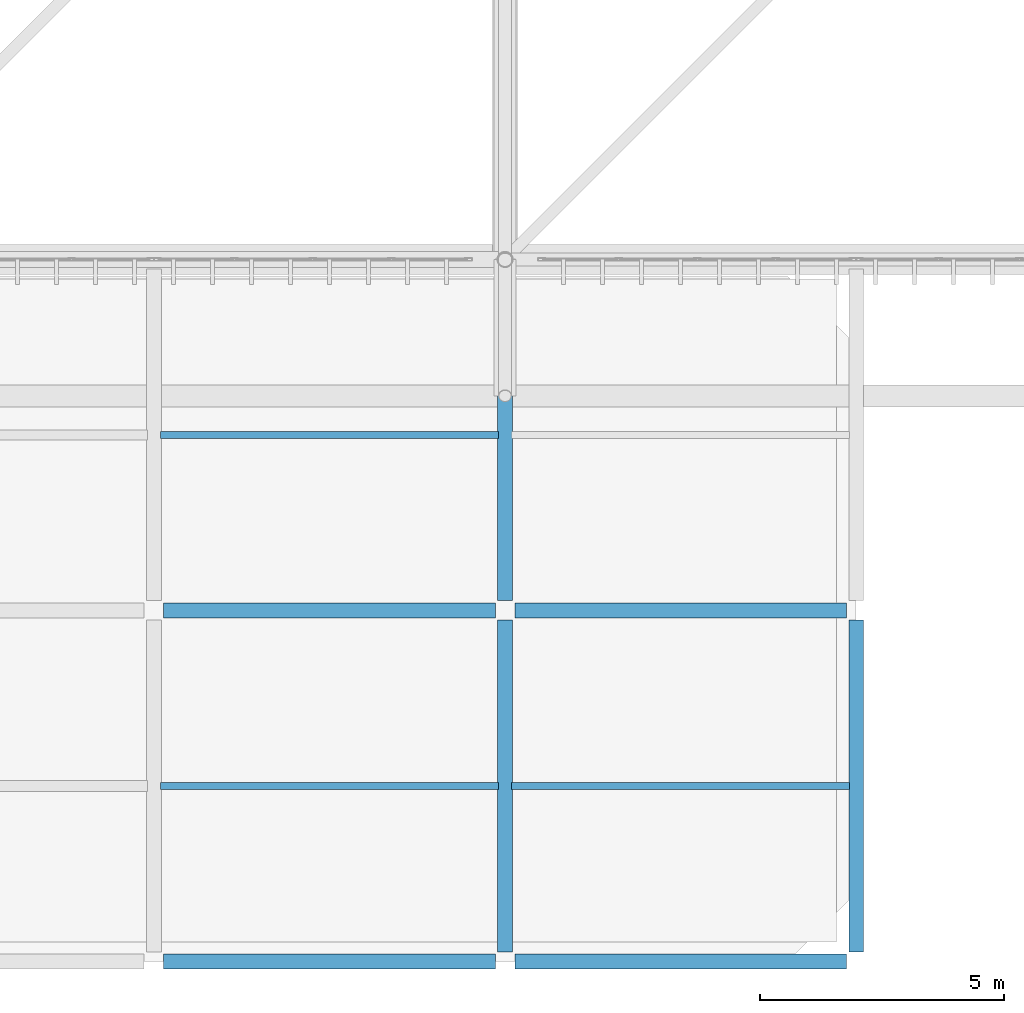
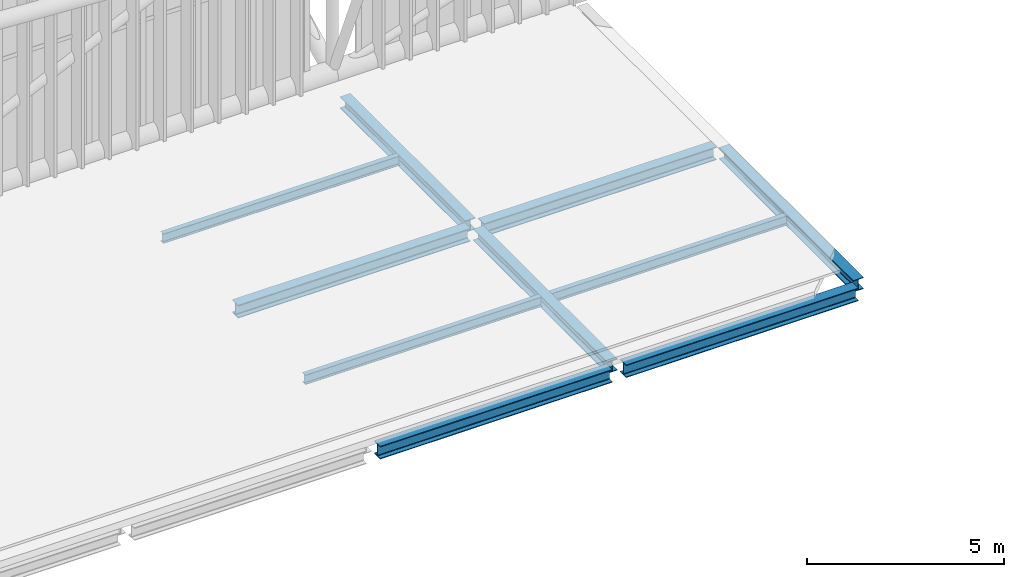
# One storey, part 82 of 397: 10 beams.
"""IFC4 building model written with IfcOpenShell, lengths in metres."""

from ifc_helpers import new_model, si_unit, direction, frame, origin, origin_2d, place, context, subcontext, project, spatial, i_section, extrude, material, material_profile, profile_set, type_object, element, save


model = new_model("IFC4")

# Units and contexts
model_context = context("Model", 3, precision=1e-05, world=origin(), true_north=direction((0.0, 1.0)))
body_context = subcontext(model_context, "Body", "Model", "MODEL_VIEW")
ifc_project = project(units=[si_unit("LENGTHUNIT", "METRE"), si_unit("AREAUNIT", "SQUARE_METRE"), si_unit("VOLUMEUNIT", "CUBIC_METRE"), si_unit("PLANEANGLEUNIT", "RADIAN"), si_unit("MASSUNIT", "GRAM", prefix="KILO")], contexts=[model_context])

# Site, building, storey
site_placement = place(None, origin())
site = spatial("IfcSite", under=ifc_project, at=site_placement, CompositionType="ELEMENT")
building_placement = place(site_placement, origin())
building = spatial("IfcBuilding", under=site, at=building_placement, Name="Qandorah Velis Arena", CompositionType="ELEMENT")
storey_placement = place(building_placement, frame((0.0, 0.0, 27.5)))
storey = spatial("IfcBuildingStorey", under=building, at=storey_placement, Name="RF", CompositionType="ELEMENT", Elevation=27.5)

# Beams
ifc_material = material(Name="Steel S355", Category="steel")
ifc_material_profile_1 = material_profile(ifc_material, i_section(OverallWidth=0.300048828125, OverallDepth=0.360107421875, WebThickness=0.012451171875, FlangeThickness=0.0224609375, FilletRadius=0.027099609375, at=origin_2d()), Name="HEB 360")
ifc_profile_set_1 = profile_set([ifc_material_profile_1], Name="Steel S355")
beam_type_1 = type_object("IfcBeamType", Name="STR-BM-HEB360", PredefinedType="BEAM", material=ifc_profile_set_1)
beam_1_placement = place(storey_placement, frame((86.39990234375, 0.199951171875, -0.39990234375), z_axis=(0.0, 1.0, 0.0), x_axis=(-1.0, 0.0, 0.0)))
element("IfcBeam", 1, at=beam_1_placement, inside=storey, type_object=beam_type_1, Name="Primary floor girder RF Y-119", PredefinedType="BEAM", context=body_context, shape_type="SweptSolid", body=[
    extrude(i_section(OverallWidth=0.300048828125, OverallDepth=0.360107421875, WebThickness=0.012451171875, FlangeThickness=0.0224609375, FilletRadius=0.027099609375, at=origin_2d()), origin(), (0.0, 0.0, 1.0), 6.800048828125),
])
beam_2_placement = place(storey_placement, frame((86.39990234375, 7.39990234375, -0.39990234375), z_axis=(0.0, 1.0, 0.0), x_axis=(-1.0, 0.0, 0.0)))
element("IfcBeam", 2, at=beam_2_placement, inside=storey, type_object=beam_type_1, Name="Primary floor girder RF Y-120", PredefinedType="BEAM", context=body_context, shape_type="SweptSolid", body=[
    extrude(i_section(OverallWidth=0.300048828125, OverallDepth=0.360107421875, WebThickness=0.012451171875, FlangeThickness=0.0224609375, FilletRadius=0.027099609375, at=origin_2d()), origin(), (0.0, 0.0, 1.0), 6.35009765625),
])
beam_3_placement = place(storey_placement, frame((93.60009765625, 0.199951171875, -0.39990234375), z_axis=(0.0, 1.0, 0.0), x_axis=(-1.0, 0.0, 0.0)))
element("IfcBeam", 3, at=beam_3_placement, inside=storey, type_object=beam_type_1, Name="Primary floor girder RF Y-123", PredefinedType="BEAM", context=body_context, shape_type="SweptSolid", body=[
    extrude(i_section(OverallWidth=0.300048828125, OverallDepth=0.360107421875, WebThickness=0.012451171875, FlangeThickness=0.0224609375, FilletRadius=0.027099609375, at=origin_2d()), origin(), (0.0, 0.0, 1.0), 6.800048828125),
])
ifc_material_profile_2 = material_profile(ifc_material, i_section(OverallWidth=0.300048828125, OverallDepth=0.39990234375, WebThickness=0.013427734375, FlangeThickness=0.02392578125, FilletRadius=0.027099609375, at=origin_2d()), Name="HEB 400")
ifc_profile_set_2 = profile_set([ifc_material_profile_2], Name="Steel S355")
beam_type_2 = type_object("IfcBeamType", Name="STR-BM-HEB400", PredefinedType="BEAM", material=ifc_profile_set_2)
beam_4_placement = place(storey_placement, frame((79.39990234375, 0.0, -0.419921875), z_axis=(1.0, 0.0, 0.0), x_axis=(0.0, 1.0, 0.0)))
element("IfcBeam", 4, at=beam_4_placement, inside=storey, type_object=beam_type_2, Name="Primary floor girder RF X-008", PredefinedType="BEAM", context=body_context, shape_type="SweptSolid", body=[
    extrude(i_section(OverallWidth=0.300048828125, OverallDepth=0.39990234375, WebThickness=0.013427734375, FlangeThickness=0.02392578125, FilletRadius=0.027099609375, at=origin_2d()), origin(), (0.0, 0.0, 1.0), 6.800048828125),
])
beam_5_placement = place(storey_placement, frame((86.60009765625, 0.0, -0.419921875), z_axis=(1.0, 0.0, 0.0), x_axis=(0.0, 1.0, 0.0)))
element("IfcBeam", 5, at=beam_5_placement, inside=storey, type_object=beam_type_2, Name="Primary floor girder RF X-009", PredefinedType="BEAM", context=body_context, shape_type="SweptSolid", body=[
    extrude(i_section(OverallWidth=0.300048828125, OverallDepth=0.39990234375, WebThickness=0.013427734375, FlangeThickness=0.02392578125, FilletRadius=0.027099609375, at=origin_2d()), origin(), (0.0, 0.0, 1.0), 6.7998046875),
])
beam_6_placement = place(storey_placement, frame((79.39990234375, 7.199951171875, -0.419921875), z_axis=(1.0, 0.0, 0.0), x_axis=(0.0, 1.0, 0.0)))
element("IfcBeam", 6, at=beam_6_placement, inside=storey, type_object=beam_type_2, Name="Primary floor girder RF X-017", PredefinedType="BEAM", context=body_context, shape_type="SweptSolid", body=[
    extrude(i_section(OverallWidth=0.300048828125, OverallDepth=0.39990234375, WebThickness=0.013427734375, FlangeThickness=0.02392578125, FilletRadius=0.027099609375, at=origin_2d()), origin(), (0.0, 0.0, 1.0), 6.800048828125),
])
beam_7_placement = place(storey_placement, frame((86.60009765625, 7.199951171875, -0.419921875), z_axis=(1.0, 0.0, 0.0), x_axis=(0.0, 1.0, 0.0)))
element("IfcBeam", 7, at=beam_7_placement, inside=storey, type_object=beam_type_2, Name="Primary floor girder RF X-018", PredefinedType="BEAM", context=body_context, shape_type="SweptSolid", body=[
    extrude(i_section(OverallWidth=0.300048828125, OverallDepth=0.39990234375, WebThickness=0.013427734375, FlangeThickness=0.02392578125, FilletRadius=0.027099609375, at=origin_2d()), origin(), (0.0, 0.0, 1.0), 6.7998046875),
])
ifc_material_profile_3 = material_profile(ifc_material, i_section(OverallWidth=0.14990234375, OverallDepth=0.300048828125, WebThickness=0.007080078125, FlangeThickness=0.0107421875, FilletRadius=0.014892578125, at=origin_2d()), Name="IPE 300")
ifc_profile_set_3 = profile_set([ifc_material_profile_3], Name="Steel S355")
beam_type_3 = type_object("IfcBeamType", Name="STR-JST-IPE300", PredefinedType="JOIST", material=ifc_profile_set_3)
for number, where, z_axis, x_axis, name in (
    (8, (79.3349609375, 3.60009765625, -0.3701171875), (1.0, 0.0, 0.0), (0.0, 1.0, 0.0), "Secondary floor joist RF-041"),
    (9, (79.3349609375, 10.800048828125, -0.3701171875), (1.0, 0.0, 0.0), (0.0, 1.0, 0.0), "Secondary floor joist RF-042"),
):
    element("IfcBeam", number, at=place(storey_placement, frame(where, z_axis=z_axis, x_axis=x_axis)), inside=storey, type_object=beam_type_3, Name=name, PredefinedType="JOIST", context=body_context, shape_type="SweptSolid", body=[
        extrude(i_section(OverallWidth=0.14990234375, OverallDepth=0.300048828125, WebThickness=0.007080078125, FlangeThickness=0.0107421875, FilletRadius=0.014892578125, at=origin_2d()), origin(), (0.0, 0.0, 1.0), 6.929931640625),
    ])
beam_8_placement = place(storey_placement, frame((86.534912109375, 3.60009765625, -0.3701171875), z_axis=(1.0, 0.0, 0.0), x_axis=(0.0, 1.0, 0.0)))
element("IfcBeam", 10, at=beam_8_placement, inside=storey, type_object=beam_type_3, Name="Secondary floor joist RF-045", PredefinedType="JOIST", context=body_context, shape_type="SweptSolid", body=[
    extrude(i_section(OverallWidth=0.14990234375, OverallDepth=0.300048828125, WebThickness=0.007080078125, FlangeThickness=0.0107421875, FilletRadius=0.014892578125, at=origin_2d()), origin(), (0.0, 0.0, 1.0), 6.93017578125),
])

save(model, "model.ifc")
